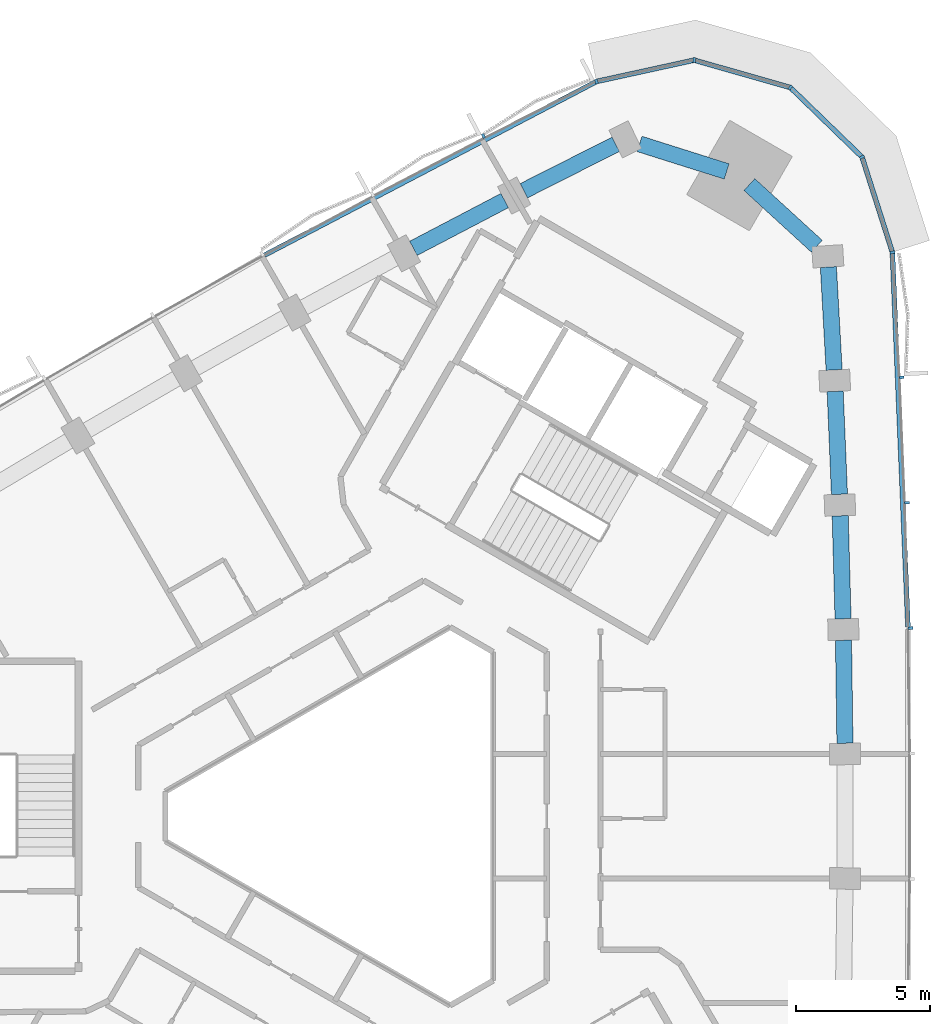
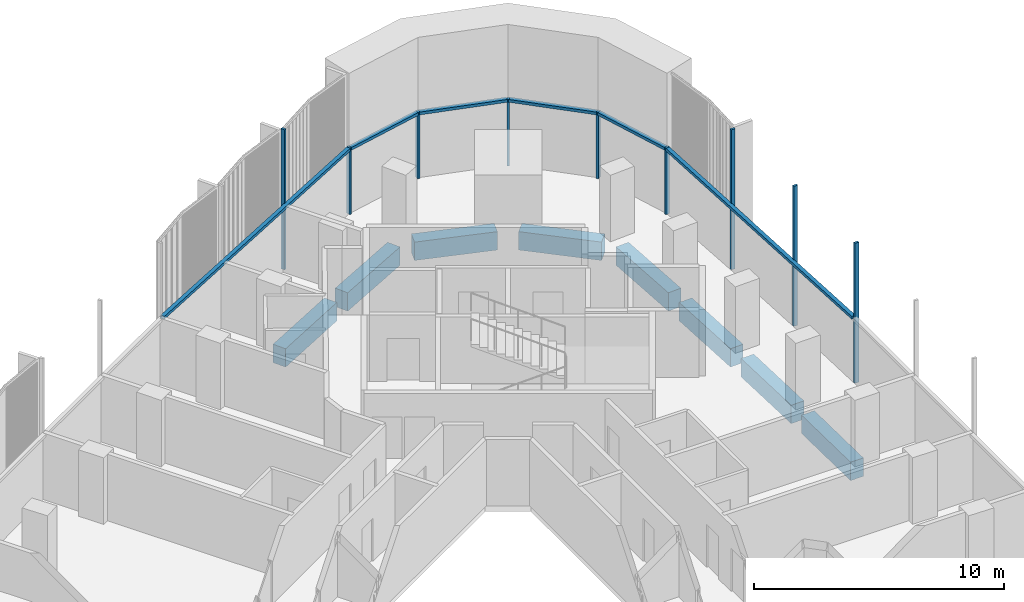
# One storey, part 5 of 14: 15 members, 8 beams, 2 elements without a shape of their own.
"""IFC4 building model written with IfcOpenShell, lengths in metres."""

import ifcopenshell
import ifcopenshell.guid

model = None  # the IFC model being written
_history = None  # IfcOwnerHistory: only IFC2X3 demands one
_inside = {}  # id of a spatial element -> (the spatial element, [elements in it])
_under = {}  # id of a project, library or spatial element -> (it, [spatial elements below it])
_declared = {}  # id of a project -> (the project, [libraries it declares])
_typed = {}  # id of a type object -> (the type object, [elements of that type])
_made_of = {}  # id of a material, layer set ... -> (it, [elements and type objects made of it])


def new_model(schema):
    """Start an empty IFC model of exactly this schema.

    Asked for "IFC4X3", IfcOpenShell would pick the latest addendum, in which some entities
    have other attributes; the version numbers below select the first issue.
    IFC2X3 requires an IfcOwnerHistory on every rooted entity: one is made here for all.
    """
    global model, _history
    if schema == "IFC4X3":
        model = ifcopenshell.file(schema_version=(4, 3, 0, 0))
    else:
        model = ifcopenshell.file(schema=schema)
    _inside.clear()
    _under.clear()
    _declared.clear()
    _typed.clear()
    _made_of.clear()
    _history = None
    if model.schema == "IFC2X3":
        org = make("IfcOrganization", Name="unknown")
        user = make(
            "IfcPersonAndOrganization",
            ThePerson=make("IfcPerson", FamilyName="unknown"),
            TheOrganization=org,
        )
        app = make(
            "IfcApplication",
            ApplicationDeveloper=org,
            Version="unknown",
            ApplicationFullName="unknown",
            ApplicationIdentifier="unknown",
        )
        _history = make(
            "IfcOwnerHistory",
            OwningUser=user,
            OwningApplication=app,
            ChangeAction="ADDED",
            CreationDate=0,
        )
    return model


def make(cls, **values):
    """One entity of the class cls with the attributes given. An attribute that is None is left unset."""
    return model.create_entity(
        cls, **{name: value for name, value in values.items() if value is not None}
    )


def rooted(cls, **values):
    """An entity with a GlobalId (a new one), such as an element, a storey or a relation."""
    return make(cls, GlobalId=ifcopenshell.guid.new(), OwnerHistory=_history, **values)


def si_unit(unit_type, name, prefix=None):
    """IfcSIUnit, for example si_unit("LENGTHUNIT", "METRE", prefix="MILLI")."""
    return make("IfcSIUnit", UnitType=unit_type, Prefix=prefix, Name=name)


def assignment(units):
    """IfcUnitAssignment: the units of a project."""
    return None if units is None else make("IfcUnitAssignment", Units=units)


def point(xyz):
    """IfcCartesianPoint."""
    return None if xyz is None else make("IfcCartesianPoint", Coordinates=xyz)


def direction(xyz):
    """IfcDirection."""
    return None if xyz is None else make("IfcDirection", DirectionRatios=xyz)


def frame(location, z_axis=None, x_axis=None):
    """IfcAxis2Placement3D, a coordinate frame: its origin and axes. An axis left out is left unset."""
    return make(
        "IfcAxis2Placement3D",
        Location=point(location),
        Axis=direction(z_axis),
        RefDirection=direction(x_axis),
    )


def frame_2d(location, x_axis=None):
    """IfcAxis2Placement2D, a coordinate frame in the plane: its origin and x axis."""
    return make(
        "IfcAxis2Placement2D", Location=point(location), RefDirection=direction(x_axis)
    )


def origin():
    """The frame at (0, 0, 0) with its axes left unset."""
    return frame((0.0, 0.0, 0.0))


def origin_2d():
    """The frame at (0, 0) in the plane with its x axis left unset."""
    return frame_2d((0.0, 0.0))


def place(relative_to, where):
    """IfcLocalPlacement: puts the frame where relative to a parent placement (None: the world)."""
    return make(
        "IfcLocalPlacement", PlacementRelTo=relative_to, RelativePlacement=where
    )


def context(
    kind, dimensions, precision=None, world=None, true_north=None, identifier=None
):
    """IfcGeometricRepresentationContext, for example the 3D "Model" context."""
    return make(
        "IfcGeometricRepresentationContext",
        ContextIdentifier=identifier,
        ContextType=kind,
        CoordinateSpaceDimension=dimensions,
        Precision=precision,
        WorldCoordinateSystem=world,
        TrueNorth=true_north,
    )


def subcontext(parent, identifier, kind, view, scale=None):
    """IfcGeometricRepresentationSubContext, for example "Body" below "Model"."""
    return make(
        "IfcGeometricRepresentationSubContext",
        ContextIdentifier=identifier,
        ContextType=kind,
        ParentContext=parent,
        TargetScale=scale,
        TargetView=view,
    )


def project(units=None, contexts=None):
    """IfcProject with its units and contexts."""
    return rooted(
        "IfcProject",
        Name="project",
        RepresentationContexts=contexts,
        UnitsInContext=assignment(units),
    )


def spatial(cls, under=None, at=None, **own):
    """A site, building, storey or space (cls), placed at a placement, below another one or the project."""
    s = rooted(cls, ObjectPlacement=at, **own)
    if under is not None:
        _under.setdefault(under.id(), (under, []))[1].append(s)
    return s


def profile(cls, at=None, kind="AREA", **sizes):
    """A parametric profile (cls). Its sizes go by their IFC names, for example OverallWidth=200.0."""
    return make(cls, ProfileType=kind, Position=at, **sizes)


def rectangle(**sizes):
    """IfcRectangleProfileDef."""
    return profile("IfcRectangleProfileDef", **sizes)


def extrude(swept, where, along, depth):
    """IfcExtrudedAreaSolid: the profile swept, set in the frame where, extruded along a direction by depth."""
    return make(
        "IfcExtrudedAreaSolid",
        SweptArea=swept,
        Position=where,
        ExtrudedDirection=direction(along),
        Depth=depth,
    )


def shape(context_of_items, identifier, shape_type, items):
    """IfcShapeRepresentation: the items that make up one representation, for example the "Body"."""
    return make(
        "IfcShapeRepresentation",
        ContextOfItems=context_of_items,
        RepresentationIdentifier=identifier,
        RepresentationType=shape_type,
        Items=items,
    )


def material(Name=None, Category=None):
    """IfcMaterial."""
    return make("IfcMaterial", Name=Name, Category=Category)


def material_profile(
    of_material, cross_section, Name=None, Category=None, Priority=None
):
    """IfcMaterialProfile: a cross section and its material."""
    return make(
        "IfcMaterialProfile",
        Name=Name,
        Material=of_material,
        Profile=cross_section,
        Priority=Priority,
        Category=Category,
    )


def profile_set(profiles, Name=None, composite=None):
    """IfcMaterialProfileSet."""
    return make(
        "IfcMaterialProfileSet",
        Name=Name,
        MaterialProfiles=profiles,
        CompositeProfile=composite,
    )


def made_of(thing, what):
    """Note that an element or type object is made of a material, layer set ...; save() writes the relation."""
    if what is not None:
        _made_of.setdefault(what.id(), (what, []))[1].append(thing)
    return thing


def type_object(cls, material=None, **own):
    """A type object (cls), such as IfcWallType, which elements share."""
    return made_of(rooted(cls, **own), material)


def element(
    cls,
    number,
    at=None,
    inside=None,
    cuts=None,
    type_object=None,
    material=None,
    context=None,
    identifier="Body",
    shape_type=None,
    held_by="IfcProductDefinitionShape",
    body=None,
    shapes=None,
    **own,
):
    """One element of the class cls, such as IfcWall. Its Tag is "e" and its number.

    at: its placement. inside: the storey or other place that contains it. cuts: it is an
    opening in that element (IfcRelVoidsElement). A single representation is given by context,
    identifier, shape_type and body (its items); several are given by shapes. held_by: the class
    of the entity that holds the representations. save() writes the other relations.
    """
    e = rooted(cls, Tag="e%d" % number, ObjectPlacement=at, **own)
    if body is not None:
        shapes = [shape(context, identifier, shape_type, body)]
    if shapes is not None:
        e.Representation = make(held_by, Representations=shapes)
    if inside is not None:
        _inside.setdefault(inside.id(), (inside, []))[1].append(e)
    if cuts is not None:
        rooted(
            "IfcRelVoidsElement", RelatingBuildingElement=cuts, RelatedOpeningElement=e
        )
    if type_object is not None:
        _typed.setdefault(type_object.id(), (type_object, []))[1].append(e)
    return made_of(e, material)


def aggregate(whole, parts):
    """IfcRelAggregates: a whole, such as a stair, and the parts it consists of."""
    return rooted("IfcRelAggregates", RelatingObject=whole, RelatedObjects=parts)


def save(model, path):
    """Write the relations noted so far, then the file.

    IfcRelAggregates (storeys below a building ...), IfcRelContainedInSpatialStructure (elements
    in a storey), IfcRelDefinesByType, IfcRelAssociatesMaterial and IfcRelDeclares: one each for
    every whole, place, type object, material and project.
    """
    for whole, parts in _under.values():
        aggregate(whole, parts)
    for where, things in _inside.values():
        rooted(
            "IfcRelContainedInSpatialStructure",
            RelatedElements=things,
            RelatingStructure=where,
        )
    for kind, things in _typed.values():
        rooted("IfcRelDefinesByType", RelatedObjects=things, RelatingType=kind)
    for what, things in _made_of.values():
        rooted("IfcRelAssociatesMaterial", RelatedObjects=things, RelatingMaterial=what)
    for by, libraries in _declared.values():
        rooted("IfcRelDeclares", RelatingContext=by, RelatedDefinitions=libraries)
    model.write(path)


model = new_model("IFC4")

# Units and contexts
model_context = context("Model", 3, precision=1e-05, world=origin(), true_north=direction((0.0, 1.0)))
body_context = subcontext(model_context, "Body", "Model", "MODEL_VIEW")
ifc_project = project(units=[si_unit("LENGTHUNIT", "METRE"), si_unit("AREAUNIT", "SQUARE_METRE"), si_unit("VOLUMEUNIT", "CUBIC_METRE"), si_unit("PLANEANGLEUNIT", "RADIAN"), si_unit("MASSUNIT", "GRAM", prefix="KILO")], contexts=[model_context])

# Site, building, storey
site_placement = place(None, origin())
site = spatial("IfcSite", under=ifc_project, at=site_placement, CompositionType="ELEMENT")
building_placement = place(site_placement, origin())
building = spatial("IfcBuilding", under=site, at=building_placement, Name="Tamra Quay Hotel Tower", CompositionType="ELEMENT")
storey_placement = place(building_placement, frame((0.0, 0.0, 197.199951171875)))
storey = spatial("IfcBuildingStorey", under=building, at=storey_placement, Name="L49", CompositionType="ELEMENT", Elevation=197.199951171875)

# Curtain wall, members
ifc_material_1 = material(Name="Aluminium 6063 anodised dark grey", Category="aluminium")
curtain_wall_type_1 = type_object("IfcCurtainWallType", Name="CW1 CURTAIN WALL", PredefinedType="NOTDEFINED", material=ifc_material_1)
curtain_wall_1_placement = place(storey_placement, origin())
curtain_wall_1 = element("IfcCurtainWall", 1, at=curtain_wall_1_placement, inside=storey, type_object=curtain_wall_type_1, Name="CW1 east face L49", PredefinedType="NOTDEFINED")
ifc_material_profile_1 = material_profile(ifc_material_1, rectangle(XDim=0.179931640625, YDim=0.10009765625, at=origin_2d()), Name="MULLION 100X180")
ifc_profile_set_1 = profile_set([ifc_material_profile_1], Name="Aluminium 6063 anodised dark grey")
member_type_1 = type_object("IfcMemberType", Name="MULLION CW1 Z4", PredefinedType="MULLION", material=ifc_profile_set_1)
member_1_placement = place(storey_placement, frame((20.1484375, 7.008544921875, 0.0), z_axis=(0.0, 0.0, 1.0), x_axis=(0.999783229349, 0.020820526248, 0.0)))
member_1 = element("IfcMember", 2, at=member_1_placement, type_object=member_type_1, Name="CW1 mullion L49.E.7", PredefinedType="MULLION", context=body_context, shape_type="SweptSolid", body=[
    extrude(rectangle(XDim=0.179931640625, YDim=0.10009765625, at=origin_2d()), origin(), (0.0, 0.0, 1.0), 6.85009765625),
])
member_2_placement = place(storey_placement, frame((20.018798828125, 11.677734375, 0.0), z_axis=(0.0, 0.0, 1.0), x_axis=(0.999398564951, 0.034677202512, 0.0)))
member_2 = element("IfcMember", 3, at=member_2_placement, type_object=member_type_1, Name="CW1 mullion L49.E.8", PredefinedType="MULLION", context=body_context, shape_type="SweptSolid", body=[
    extrude(rectangle(XDim=0.179931640625, YDim=0.10009765625, at=origin_2d()), origin(), (0.0, 0.0, 1.0), 6.85009765625),
])
member_3_placement = place(storey_placement, frame((19.824462890625, 16.346435546875, 0.0), z_axis=(0.0, 0.0, 1.0), x_axis=(0.998822750777, 0.048508891255, 0.0)))
member_3 = element("IfcMember", 4, at=member_3_placement, type_object=member_type_1, Name="CW1 mullion L49.E.9", PredefinedType="MULLION", context=body_context, shape_type="SweptSolid", body=[
    extrude(rectangle(XDim=0.179931640625, YDim=0.10009765625, at=origin_2d()), origin(), (0.0, 0.0, 1.0), 6.85009765625),
])
member_4_placement = place(storey_placement, frame((19.4755859375, 21.00537109375, 0.0), z_axis=(0.0, 0.0, 1.0), x_axis=(0.98350948997, 0.180856526394, 0.0)))
member_4 = element("IfcMember", 5, at=member_4_placement, type_object=member_type_1, Name="CW1 mullion L49.E.10", PredefinedType="MULLION", context=body_context, shape_type="SweptSolid", body=[
    extrude(rectangle(XDim=0.179931640625, YDim=0.10009765625, at=origin_2d()), origin(), (0.0, 0.0, 1.0), 3.25),
])
member_5_placement = place(storey_placement, frame((18.345947265625, 24.553466796875, 0.0), z_axis=(0.0, 0.0, 1.0), x_axis=(0.85012217174, 0.526585504089, 0.0)))
member_5 = element("IfcMember", 6, at=member_5_placement, type_object=member_type_1, Name="CW1 mullion L49.E.11", PredefinedType="MULLION", context=body_context, shape_type="SweptSolid", body=[
    extrude(rectangle(XDim=0.179931640625, YDim=0.10009765625, at=origin_2d()), origin(), (0.0, 0.0, 1.0), 3.25),
])
member_6_placement = place(storey_placement, frame((15.67236328125, 27.145263671875, 0.0), z_axis=(0.0, 0.0, 1.0), x_axis=(0.5, 0.866025403784, 0.0)))
member_6 = element("IfcMember", 7, at=member_6_placement, type_object=member_type_1, Name="CW1 mullion L49.E.12", PredefinedType="MULLION", context=body_context, shape_type="SweptSolid", body=[
    extrude(rectangle(XDim=0.179931640625, YDim=0.10009765625, at=origin_2d()), origin(), (0.0, 0.0, 1.0), 3.25),
])
member_7_placement = place(storey_placement, frame((12.091064453125, 28.164794921875, 0.0), z_axis=(0.0, 0.0, 1.0), x_axis=(0.030975337936, 0.999520149091, 0.0)))
member_7 = element("IfcMember", 8, at=member_7_placement, type_object=member_type_1, Name="CW1 mullion L49.E.13", PredefinedType="MULLION", context=body_context, shape_type="SweptSolid", body=[
    extrude(rectangle(XDim=0.179931640625, YDim=0.10009765625, at=origin_2d()), origin(), (0.0, 0.0, 1.0), 3.25),
])

curtain_wall_type_2 = type_object("IfcCurtainWallType", Name="CW2 CURTAIN WALL", PredefinedType="NOTDEFINED", material=ifc_material_1)
curtain_wall_2_placement = place(storey_placement, origin())
curtain_wall_2 = element("IfcCurtainWall", 9, at=curtain_wall_2_placement, inside=storey, type_object=curtain_wall_type_2, Name="CW2 north-west face L49", PredefinedType="NOTDEFINED")
ifc_material_profile_2 = material_profile(ifc_material_1, rectangle(XDim=0.179931640625, YDim=0.10009765625, at=origin_2d()), Name="MULLION 100X180")
ifc_profile_set_2 = profile_set([ifc_material_profile_2], Name="Aluminium 6063 anodised dark grey")
member_type_2 = type_object("IfcMemberType", Name="MULLION CW2 Z4", PredefinedType="MULLION", material=ifc_profile_set_2)
member_8_placement = place(storey_placement, frame((8.453369140625, 27.369140625, 0.0), z_axis=(0.0, 0.0, 1.0), x_axis=(-0.335128398687, 0.942172466374, 0.0)))
member_8 = element("IfcMember", 10, at=member_8_placement, type_object=member_type_2, Name="CW2 mullion L49.NW.1", PredefinedType="MULLION", context=body_context, shape_type="SweptSolid", body=[
    extrude(rectangle(XDim=0.179931640625, YDim=0.10009765625, at=origin_2d()), origin(), (0.0, 0.0, 1.0), 3.25),
])
member_9_placement = place(storey_placement, frame((4.244140625, 25.341552734375, 0.0), z_axis=(0.0, 0.0, 1.0), x_axis=(-0.457401443253, 0.889260321678, 0.0)))
member_9 = element("IfcMember", 11, at=member_9_placement, type_object=member_type_2, Name="CW2 mullion L49.NW.2", PredefinedType="MULLION", context=body_context, shape_type="SweptSolid", body=[
    extrude(rectangle(XDim=0.179931640625, YDim=0.10009765625, at=origin_2d()), origin(), (0.0, 0.0, 1.0), 6.85009765625),
])

# Beams
ifc_material_2 = material(Name="Concrete M60", Category="concrete")
ifc_material_profile_3 = material_profile(ifc_material_2, rectangle(XDim=0.60009765625, YDim=0.89990234375, at=origin_2d()), Name="SPANDREL BEAM RC 600x900")
ifc_profile_set_3 = profile_set([ifc_material_profile_3], Name="Concrete M60")
beam_type = type_object("IfcBeamType", Name="SPANDREL BEAM RC 600x900", PredefinedType="SPANDREL", material=ifc_profile_set_3)
beam_1_placement = place(storey_placement, frame((17.706787109375, 2.71875, -0.800048828125), z_axis=(-0.01380539035, 0.999904701058, 0.0), x_axis=(-0.999904701058, -0.01380539035, 0.0)))
element("IfcBeam", 12, at=beam_1_placement, inside=storey, type_object=beam_type, Name="BM-SP4-005-L49", PredefinedType="SPANDREL", context=body_context, shape_type="SweptSolid", body=[
    extrude(rectangle(XDim=0.60009765625, YDim=0.89990234375, at=origin_2d()), origin(), (0.0, 0.0, 1.0), 3.83740234375),
])
beam_2_placement = place(storey_placement, frame((17.636962890625, 7.355712890625, -0.800048828125), z_axis=(-0.02773528523, 0.999615302981, 0.0), x_axis=(-0.999615302981, -0.02773528523, 0.0)))
element("IfcBeam", 13, at=beam_2_placement, inside=storey, type_object=beam_type, Name="BM-SP4-006-L49", PredefinedType="SPANDREL", context=body_context, shape_type="SweptSolid", body=[
    extrude(rectangle(XDim=0.60009765625, YDim=0.89990234375, at=origin_2d()), origin(), (0.0, 0.0, 1.0), 3.837890625),
])
beam_3_placement = place(storey_placement, frame((17.502685546875, 11.99169921875, -0.800048828125), z_axis=(-0.041609373826, 0.999133954988, 0.0), x_axis=(-0.999133954988, -0.041609373826, 0.0)))
element("IfcBeam", 14, at=beam_3_placement, inside=storey, type_object=beam_type, Name="BM-SP4-007-L49", PredefinedType="SPANDREL", context=body_context, shape_type="SweptSolid", body=[
    extrude(rectangle(XDim=0.60009765625, YDim=0.89990234375, at=origin_2d()), origin(), (0.0, 0.0, 1.0), 3.83740234375),
])
beam_4_placement = place(storey_placement, frame((17.30419921875, 16.625, -0.800048828125), z_axis=(-0.055346700292, 0.99846719664, 0.0), x_axis=(-0.99846719664, -0.055346700292, 0.0)))
element("IfcBeam", 15, at=beam_4_placement, inside=storey, type_object=beam_type, Name="BM-SP4-008-L49", PredefinedType="SPANDREL", context=body_context, shape_type="SweptSolid", body=[
    extrude(rectangle(XDim=0.60009765625, YDim=0.89990234375, at=origin_2d()), origin(), (0.0, 0.0, 1.0), 3.837646484375),
])
beam_5_placement = place(storey_placement, frame((16.659423828125, 21.2314453125, -0.800048828125), z_axis=(-0.737716497183, 0.675110635218, 0.0), x_axis=(-0.675110635218, -0.737716497183, 0.0)))
element("IfcBeam", 16, at=beam_5_placement, inside=storey, type_object=beam_type, Name="BM-SP4-009-L49", PredefinedType="SPANDREL", context=body_context, shape_type="SweptSolid", body=[
    extrude(rectangle(XDim=0.60009765625, YDim=0.89990234375, at=origin_2d()), origin(), (0.0, 0.0, 1.0), 3.404296875),
])
beam_6_placement = place(storey_placement, frame((13.302978515625, 24.017333984375, -0.800048828125), z_axis=(-0.953502415748, 0.301385373174, 0.0), x_axis=(-0.301385373174, -0.953502415748, 0.0)))
element("IfcBeam", 17, at=beam_6_placement, inside=storey, type_object=beam_type, Name="BM-SP4-010-L49", PredefinedType="SPANDREL", context=body_context, shape_type="SweptSolid", body=[
    extrude(rectangle(XDim=0.60009765625, YDim=0.89990234375, at=origin_2d()), origin(), (0.0, 0.0, 1.0), 3.40380859375),
])
beam_7_placement = place(storey_placement, frame((9.170166015625, 25.030029296875, -0.800048828125), z_axis=(-0.892407883039, -0.451229620359, 0.0), x_axis=(0.451229620359, -0.892407883039, 0.0)))
element("IfcBeam", 18, at=beam_7_placement, inside=storey, type_object=beam_type, Name="BM-SP4-011-L49", PredefinedType="SPANDREL", context=body_context, shape_type="SweptSolid", body=[
    extrude(rectangle(XDim=0.60009765625, YDim=0.89990234375, at=origin_2d()), origin(), (0.0, 0.0, 1.0), 3.837646484375),
])
beam_8_placement = place(storey_placement, frame((5.033935546875, 22.9326171875, -0.800048828125), z_axis=(-0.886043134182, -0.463602808845, 0.0), x_axis=(0.463602808845, -0.886043134182, 0.0)))
element("IfcBeam", 19, at=beam_8_placement, inside=storey, type_object=beam_type, Name="BM-SP4-012-L49", PredefinedType="SPANDREL", context=body_context, shape_type="SweptSolid", body=[
    extrude(rectangle(XDim=0.60009765625, YDim=0.89990234375, at=origin_2d()), origin(), (0.0, 0.0, 1.0), 3.83740234375),
])

# Member
ifc_material_profile_4 = material_profile(ifc_material_1, rectangle(XDim=0.179931640625, YDim=0.139892578125, at=origin_2d()), Name="TRANSOM 180X140")
ifc_profile_set_4 = profile_set([ifc_material_profile_4], Name="Aluminium 6063 anodised dark grey")
member_type_3 = type_object("IfcMemberType", Name="TRANSOM CW1 Z4", PredefinedType="USERDEFINED", material=ifc_profile_set_4)
member_10_placement = place(storey_placement, frame((20.056884765625, 7.056640625, 3.179931640625), z_axis=(-0.041576525187, 0.999135322443, 0.0), x_axis=(-0.999135322443, -0.041576525187, 0.0)))
member_10 = element("IfcMember", 20, at=member_10_placement, type_object=member_type_3, Name="CW1 transom L49.E.7", ObjectType="TRANSOM", PredefinedType="USERDEFINED", context=body_context, shape_type="SweptSolid", body=[
    extrude(rectangle(XDim=0.179931640625, YDim=0.139892578125, at=origin_2d()), origin(), (0.0, 0.0, 1.0), 13.910888671875),
])

member_11_placement = place(storey_placement, frame((19.46044921875, 21.052978515625, 3.179931640625), z_axis=(-0.303384410911, 0.952868248614, 0.0), x_axis=(-0.952868248614, -0.303384410911, 0.0)))
member_11 = element("IfcMember", 21, at=member_11_placement, type_object=member_type_3, Name="CW1 transom L49.E.10", ObjectType="TRANSOM", PredefinedType="USERDEFINED", context=body_context, shape_type="SweptSolid", body=[
    extrude(rectangle(XDim=0.179931640625, YDim=0.139892578125, at=origin_2d()), origin(), (0.0, 0.0, 1.0), 3.623779296875),
])

member_12_placement = place(storey_placement, frame((18.31005859375, 24.58837890625, 3.179931640625), z_axis=(-0.718003439243, 0.696039554361, 0.0), x_axis=(-0.696039554361, -0.718003439243, 0.0)))
member_12 = element("IfcMember", 22, at=member_12_placement, type_object=member_type_3, Name="CW1 transom L49.E.11", ObjectType="TRANSOM", PredefinedType="USERDEFINED", context=body_context, shape_type="SweptSolid", body=[
    extrude(rectangle(XDim=0.179931640625, YDim=0.139892578125, at=origin_2d()), origin(), (0.0, 0.0, 1.0), 3.623779296875),
])

member_13_placement = place(storey_placement, frame((15.624267578125, 27.158935546875, 3.179931640625), z_axis=(-0.961782850697, 0.273813345375, 0.0), x_axis=(-0.273813345375, -0.961782850697, 0.0)))
member_13 = element("IfcMember", 23, at=member_13_placement, type_object=member_type_3, Name="CW1 transom L49.E.12", ObjectType="TRANSOM", PredefinedType="USERDEFINED", context=body_context, shape_type="SweptSolid", body=[
    extrude(rectangle(XDim=0.179931640625, YDim=0.139892578125, at=origin_2d()), origin(), (0.0, 0.0, 1.0), 3.62353515625),
])

member_14_placement = place(storey_placement, frame((12.042236328125, 28.154052734375, 3.179931640625), z_axis=(-0.976912322542, -0.21364061895, 0.0), x_axis=(0.21364061895, -0.976912322542, 0.0)))
member_14 = element("IfcMember", 24, at=member_14_placement, type_object=member_type_3, Name="CW1 transom L49.E.13", ObjectType="TRANSOM", PredefinedType="USERDEFINED", context=body_context, shape_type="SweptSolid", body=[
    extrude(rectangle(XDim=0.179931640625, YDim=0.139892578125, at=origin_2d()), origin(), (0.0, 0.0, 1.0), 3.623779296875),
])

aggregate(curtain_wall_1, [member_1, member_10, member_2, member_3, member_4, member_11, member_5, member_12, member_6, member_13, member_7, member_14])

ifc_material_profile_5 = material_profile(ifc_material_1, rectangle(XDim=0.179931640625, YDim=0.139892578125, at=origin_2d()), Name="TRANSOM 180X140")
ifc_profile_set_5 = profile_set([ifc_material_profile_5], Name="Aluminium 6063 anodised dark grey")
member_type_4 = type_object("IfcMemberType", Name="TRANSOM CW2 Z4", PredefinedType="USERDEFINED", material=ifc_profile_set_5)
member_15_placement = place(storey_placement, frame((8.40869140625, 27.346435546875, 3.179931640625), z_axis=(-0.886073593198, -0.463544590559, 0.0), x_axis=(0.463544590559, -0.886073593198, 0.0)))
member_15 = element("IfcMember", 25, at=member_15_placement, type_object=member_type_4, Name="CW2 transom L49.NW.1", ObjectType="TRANSOM", PredefinedType="USERDEFINED", context=body_context, shape_type="SweptSolid", body=[
    extrude(rectangle(XDim=0.179931640625, YDim=0.139892578125, at=origin_2d()), origin(), (0.0, 0.0, 1.0), 13.91064453125),
])

aggregate(curtain_wall_2, [member_8, member_15, member_9])

save(model, "model.ifc")
